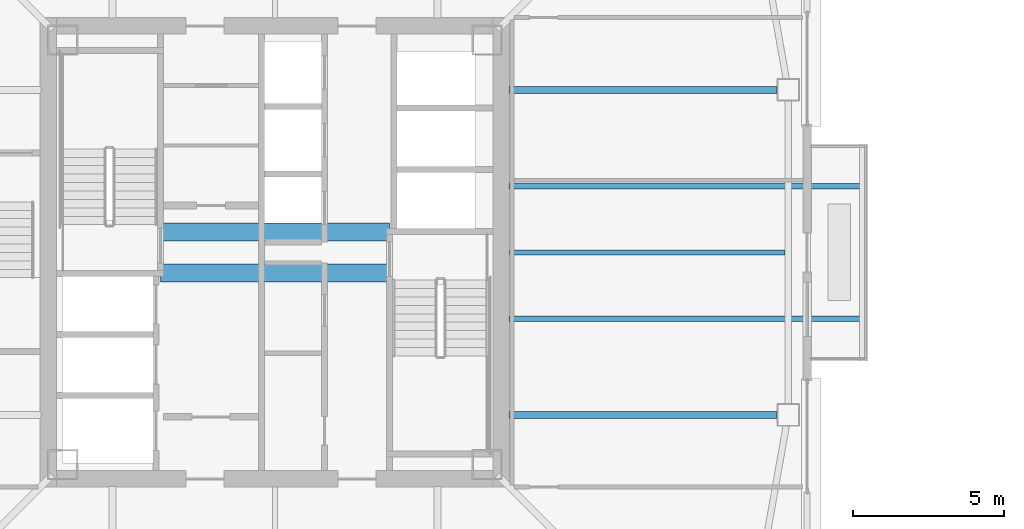
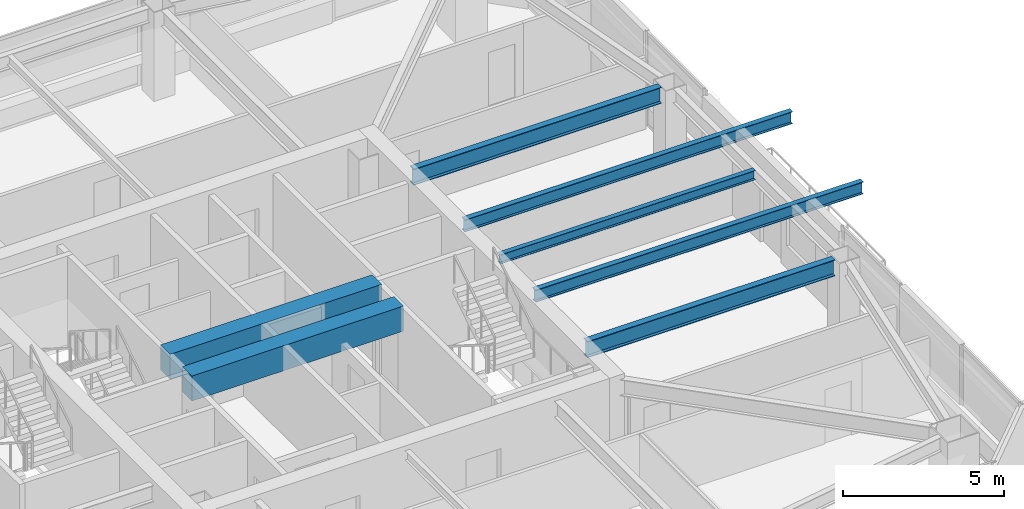
# One storey, part 8 of 41: 7 beams.
"""IFC4 building model written with IfcOpenShell, lengths in metres."""

import ifcopenshell
import ifcopenshell.guid

model = None  # the IFC model being written
_history = None  # IfcOwnerHistory: only IFC2X3 demands one
_inside = {}  # id of a spatial element -> (the spatial element, [elements in it])
_under = {}  # id of a project, library or spatial element -> (it, [spatial elements below it])
_declared = {}  # id of a project -> (the project, [libraries it declares])
_typed = {}  # id of a type object -> (the type object, [elements of that type])
_made_of = {}  # id of a material, layer set ... -> (it, [elements and type objects made of it])


def new_model(schema):
    """Start an empty IFC model of exactly this schema.

    Asked for "IFC4X3", IfcOpenShell would pick the latest addendum, in which some entities
    have other attributes; the version numbers below select the first issue.
    IFC2X3 requires an IfcOwnerHistory on every rooted entity: one is made here for all.
    """
    global model, _history
    if schema == "IFC4X3":
        model = ifcopenshell.file(schema_version=(4, 3, 0, 0))
    else:
        model = ifcopenshell.file(schema=schema)
    _inside.clear()
    _under.clear()
    _declared.clear()
    _typed.clear()
    _made_of.clear()
    _history = None
    if model.schema == "IFC2X3":
        org = make("IfcOrganization", Name="unknown")
        user = make(
            "IfcPersonAndOrganization",
            ThePerson=make("IfcPerson", FamilyName="unknown"),
            TheOrganization=org,
        )
        app = make(
            "IfcApplication",
            ApplicationDeveloper=org,
            Version="unknown",
            ApplicationFullName="unknown",
            ApplicationIdentifier="unknown",
        )
        _history = make(
            "IfcOwnerHistory",
            OwningUser=user,
            OwningApplication=app,
            ChangeAction="ADDED",
            CreationDate=0,
        )
    return model


def make(cls, **values):
    """One entity of the class cls with the attributes given. An attribute that is None is left unset."""
    return model.create_entity(
        cls, **{name: value for name, value in values.items() if value is not None}
    )


def rooted(cls, **values):
    """An entity with a GlobalId (a new one), such as an element, a storey or a relation."""
    return make(cls, GlobalId=ifcopenshell.guid.new(), OwnerHistory=_history, **values)


def si_unit(unit_type, name, prefix=None):
    """IfcSIUnit, for example si_unit("LENGTHUNIT", "METRE", prefix="MILLI")."""
    return make("IfcSIUnit", UnitType=unit_type, Prefix=prefix, Name=name)


def assignment(units):
    """IfcUnitAssignment: the units of a project."""
    return None if units is None else make("IfcUnitAssignment", Units=units)


def point(xyz):
    """IfcCartesianPoint."""
    return None if xyz is None else make("IfcCartesianPoint", Coordinates=xyz)


def direction(xyz):
    """IfcDirection."""
    return None if xyz is None else make("IfcDirection", DirectionRatios=xyz)


def frame(location, z_axis=None, x_axis=None):
    """IfcAxis2Placement3D, a coordinate frame: its origin and axes. An axis left out is left unset."""
    return make(
        "IfcAxis2Placement3D",
        Location=point(location),
        Axis=direction(z_axis),
        RefDirection=direction(x_axis),
    )


def frame_2d(location, x_axis=None):
    """IfcAxis2Placement2D, a coordinate frame in the plane: its origin and x axis."""
    return make(
        "IfcAxis2Placement2D", Location=point(location), RefDirection=direction(x_axis)
    )


def origin():
    """The frame at (0, 0, 0) with its axes left unset."""
    return frame((0.0, 0.0, 0.0))


def origin_2d():
    """The frame at (0, 0) in the plane with its x axis left unset."""
    return frame_2d((0.0, 0.0))


def place(relative_to, where):
    """IfcLocalPlacement: puts the frame where relative to a parent placement (None: the world)."""
    return make(
        "IfcLocalPlacement", PlacementRelTo=relative_to, RelativePlacement=where
    )


def context(
    kind, dimensions, precision=None, world=None, true_north=None, identifier=None
):
    """IfcGeometricRepresentationContext, for example the 3D "Model" context."""
    return make(
        "IfcGeometricRepresentationContext",
        ContextIdentifier=identifier,
        ContextType=kind,
        CoordinateSpaceDimension=dimensions,
        Precision=precision,
        WorldCoordinateSystem=world,
        TrueNorth=true_north,
    )


def subcontext(parent, identifier, kind, view, scale=None):
    """IfcGeometricRepresentationSubContext, for example "Body" below "Model"."""
    return make(
        "IfcGeometricRepresentationSubContext",
        ContextIdentifier=identifier,
        ContextType=kind,
        ParentContext=parent,
        TargetScale=scale,
        TargetView=view,
    )


def project(units=None, contexts=None):
    """IfcProject with its units and contexts."""
    return rooted(
        "IfcProject",
        Name="project",
        RepresentationContexts=contexts,
        UnitsInContext=assignment(units),
    )


def spatial(cls, under=None, at=None, **own):
    """A site, building, storey or space (cls), placed at a placement, below another one or the project."""
    s = rooted(cls, ObjectPlacement=at, **own)
    if under is not None:
        _under.setdefault(under.id(), (under, []))[1].append(s)
    return s


def profile(cls, at=None, kind="AREA", **sizes):
    """A parametric profile (cls). Its sizes go by their IFC names, for example OverallWidth=200.0."""
    return make(cls, ProfileType=kind, Position=at, **sizes)


def rectangle(**sizes):
    """IfcRectangleProfileDef."""
    return profile("IfcRectangleProfileDef", **sizes)


def i_section(**sizes):
    """IfcIShapeProfileDef."""
    return profile("IfcIShapeProfileDef", **sizes)


def extrude(swept, where, along, depth):
    """IfcExtrudedAreaSolid: the profile swept, set in the frame where, extruded along a direction by depth."""
    return make(
        "IfcExtrudedAreaSolid",
        SweptArea=swept,
        Position=where,
        ExtrudedDirection=direction(along),
        Depth=depth,
    )


def shape(context_of_items, identifier, shape_type, items):
    """IfcShapeRepresentation: the items that make up one representation, for example the "Body"."""
    return make(
        "IfcShapeRepresentation",
        ContextOfItems=context_of_items,
        RepresentationIdentifier=identifier,
        RepresentationType=shape_type,
        Items=items,
    )


def material(Name=None, Category=None):
    """IfcMaterial."""
    return make("IfcMaterial", Name=Name, Category=Category)


def material_profile(
    of_material, cross_section, Name=None, Category=None, Priority=None
):
    """IfcMaterialProfile: a cross section and its material."""
    return make(
        "IfcMaterialProfile",
        Name=Name,
        Material=of_material,
        Profile=cross_section,
        Priority=Priority,
        Category=Category,
    )


def profile_set(profiles, Name=None, composite=None):
    """IfcMaterialProfileSet."""
    return make(
        "IfcMaterialProfileSet",
        Name=Name,
        MaterialProfiles=profiles,
        CompositeProfile=composite,
    )


def made_of(thing, what):
    """Note that an element or type object is made of a material, layer set ...; save() writes the relation."""
    if what is not None:
        _made_of.setdefault(what.id(), (what, []))[1].append(thing)
    return thing


def type_object(cls, material=None, **own):
    """A type object (cls), such as IfcWallType, which elements share."""
    return made_of(rooted(cls, **own), material)


def element(
    cls,
    number,
    at=None,
    inside=None,
    cuts=None,
    type_object=None,
    material=None,
    context=None,
    identifier="Body",
    shape_type=None,
    held_by="IfcProductDefinitionShape",
    body=None,
    shapes=None,
    **own,
):
    """One element of the class cls, such as IfcWall. Its Tag is "e" and its number.

    at: its placement. inside: the storey or other place that contains it. cuts: it is an
    opening in that element (IfcRelVoidsElement). A single representation is given by context,
    identifier, shape_type and body (its items); several are given by shapes. held_by: the class
    of the entity that holds the representations. save() writes the other relations.
    """
    e = rooted(cls, Tag="e%d" % number, ObjectPlacement=at, **own)
    if body is not None:
        shapes = [shape(context, identifier, shape_type, body)]
    if shapes is not None:
        e.Representation = make(held_by, Representations=shapes)
    if inside is not None:
        _inside.setdefault(inside.id(), (inside, []))[1].append(e)
    if cuts is not None:
        rooted(
            "IfcRelVoidsElement", RelatingBuildingElement=cuts, RelatedOpeningElement=e
        )
    if type_object is not None:
        _typed.setdefault(type_object.id(), (type_object, []))[1].append(e)
    return made_of(e, material)


def aggregate(whole, parts):
    """IfcRelAggregates: a whole, such as a stair, and the parts it consists of."""
    return rooted("IfcRelAggregates", RelatingObject=whole, RelatedObjects=parts)


def save(model, path):
    """Write the relations noted so far, then the file.

    IfcRelAggregates (storeys below a building ...), IfcRelContainedInSpatialStructure (elements
    in a storey), IfcRelDefinesByType, IfcRelAssociatesMaterial and IfcRelDeclares: one each for
    every whole, place, type object, material and project.
    """
    for whole, parts in _under.values():
        aggregate(whole, parts)
    for where, things in _inside.values():
        rooted(
            "IfcRelContainedInSpatialStructure",
            RelatedElements=things,
            RelatingStructure=where,
        )
    for kind, things in _typed.values():
        rooted("IfcRelDefinesByType", RelatedObjects=things, RelatingType=kind)
    for what, things in _made_of.values():
        rooted("IfcRelAssociatesMaterial", RelatedObjects=things, RelatingMaterial=what)
    for by, libraries in _declared.values():
        rooted("IfcRelDeclares", RelatingContext=by, RelatedDefinitions=libraries)
    model.write(path)


model = new_model("IFC4")

# Units and contexts
model_context = context("Model", 3, precision=1e-05, world=origin(), true_north=direction((0.0, 1.0)))
body_context = subcontext(model_context, "Body", "Model", "MODEL_VIEW")
ifc_project = project(units=[si_unit("LENGTHUNIT", "METRE"), si_unit("AREAUNIT", "SQUARE_METRE"), si_unit("VOLUMEUNIT", "CUBIC_METRE"), si_unit("PLANEANGLEUNIT", "RADIAN"), si_unit("MASSUNIT", "GRAM", prefix="KILO")], contexts=[model_context])

# Site, building, storey
site_placement = place(None, origin())
site = spatial("IfcSite", under=ifc_project, at=site_placement, CompositionType="ELEMENT")
building_placement = place(site_placement, origin())
building = spatial("IfcBuilding", under=site, at=building_placement, Name="Tashvorn Skyway Center", CompositionType="ELEMENT")
storey_placement = place(building_placement, frame((0.0, 0.0, 171.199951171875)))
storey = spatial("IfcBuildingStorey", under=building, at=storey_placement, Name="L46", CompositionType="ELEMENT", Elevation=171.199951171875)

# Beams
ifc_material_1 = material(Name="Steel ASTM A992 Grade 50", Category="steel")
ifc_material_profile_1 = material_profile(ifc_material_1, i_section(OverallWidth=0.22998046875, OverallDepth=0.616943359375, WebThickness=0.01318359375, FlangeThickness=0.022216796875, at=origin_2d()), Name="W24X94")
ifc_profile_set_1 = profile_set([ifc_material_profile_1], Name="Steel ASTM A992 Grade 50")
beam_type_1 = type_object("IfcBeamType", Name="BM-BEAM-W24X94", PredefinedType="BEAM", material=ifc_profile_set_1)
for number, where, z_axis, x_axis, name in (
    (1, (58.679931640625, 26.60009765625, 3.0615234375), (-1.0, 0.0, 0.0), (0.0, -1.0, 0.0), "Tower 1 L46 Primary Floor Girder FC-E1"),
    (2, (58.679931640625, 37.39990234375, 3.0615234375), (-1.0, 0.0, 0.0), (0.0, -1.0, 0.0), "Tower 1 L46 Primary Floor Girder FC-E2"),
):
    element("IfcBeam", number, at=place(storey_placement, frame(where, z_axis=z_axis, x_axis=x_axis)), inside=storey, type_object=beam_type_1, Name=name, PredefinedType="BEAM", context=body_context, shape_type="SweptSolid", body=[
        extrude(i_section(OverallWidth=0.22998046875, OverallDepth=0.616943359375, WebThickness=0.01318359375, FlangeThickness=0.022216796875, at=origin_2d()), origin(), (0.0, 0.0, 1.0), 8.89990234375),
    ])
ifc_material_profile_2 = material_profile(ifc_material_1, i_section(OverallWidth=0.1708984375, OverallDepth=0.35498046875, WebThickness=0.007080078125, FlangeThickness=0.01171875, at=origin_2d()), Name="W14X34")
ifc_profile_set_2 = profile_set([ifc_material_profile_2], Name="Steel ASTM A992 Grade 50")
beam_type_2 = type_object("IfcBeamType", Name="BM-JOIST-W14X34", PredefinedType="JOIST", material=ifc_profile_set_2)
beam_placement = place(storey_placement, frame((49.7900390625, 32.0, 3.192626953125), z_axis=(1.0, 0.0, 0.0), x_axis=(0.0, 1.0, 0.0)))
element("IfcBeam", 3, at=beam_placement, inside=storey, type_object=beam_type_2, Name="Tower 1 L46 Secondary Composite Joist JE", PredefinedType="JOIST", context=body_context, shape_type="SweptSolid", body=[
    extrude(i_section(OverallWidth=0.1708984375, OverallDepth=0.35498046875, WebThickness=0.007080078125, FlangeThickness=0.01171875, at=origin_2d()), origin(), (0.0, 0.0, 1.0), 9.162353515625),
])
ifc_material_profile_3 = material_profile(ifc_material_1, i_section(OverallWidth=0.19091796875, OverallDepth=0.4599609375, WebThickness=0.010009765625, FlangeThickness=0.01611328125, at=origin_2d()), Name="W18X55")
ifc_profile_set_3 = profile_set([ifc_material_profile_3], Name="Steel ASTM A992 Grade 50")
beam_type_3 = type_object("IfcBeamType", Name="BM-JOIST-W18X55", PredefinedType="JOIST", material=ifc_profile_set_3)
for number, where, z_axis, x_axis, name in (
    (4, (49.780029296875, 29.800048828125, 3.14013671875), (1.0, 0.0, 0.0), (0.0, 1.0, 0.0), "Tower 1 L47 Terrace Cantilever Outlooker 1"),
    (5, (49.780029296875, 34.199951171875, 3.14013671875), (1.0, 0.0, 0.0), (0.0, 1.0, 0.0), "Tower 1 L47 Terrace Cantilever Outlooker 2"),
):
    element("IfcBeam", number, at=place(storey_placement, frame(where, z_axis=z_axis, x_axis=x_axis)), inside=storey, type_object=beam_type_3, Name=name, PredefinedType="JOIST", context=body_context, shape_type="SweptSolid", body=[
        extrude(i_section(OverallWidth=0.19091796875, OverallDepth=0.4599609375, WebThickness=0.010009765625, FlangeThickness=0.01611328125, at=origin_2d()), origin(), (0.0, 0.0, 1.0), 11.77001953125),
    ])
ifc_material_2 = material(Name="Concrete C60/75", Category="concrete")
ifc_material_profile_4 = material_profile(ifc_material_2, rectangle(XDim=0.60009765625, YDim=0.949951171875, at=origin_2d()), Name="RCB600x950")
ifc_profile_set_4 = profile_set([ifc_material_profile_4], Name="Concrete C60/75")
beam_type_4 = type_object("IfcBeamType", Name="BM-LINTEL-RCB600x950", PredefinedType="LINTEL", material=ifc_profile_set_4)
for number, where, z_axis, x_axis, name in (
    (6, (38.199951171875, 32.679931640625, 2.89501953125), (1.0, 0.0, 0.0), (0.0, 1.0, 0.0), "Tower 1 L46 Core Coupling Beam CN"),
    (7, (38.199951171875, 31.320068359375, 2.89501953125), (1.0, 0.0, 0.0), (0.0, 1.0, 0.0), "Tower 1 L46 Core Coupling Beam CS"),
):
    element("IfcBeam", number, at=place(storey_placement, frame(where, z_axis=z_axis, x_axis=x_axis)), inside=storey, type_object=beam_type_4, Name=name, PredefinedType="LINTEL", context=body_context, shape_type="SweptSolid", body=[
        extrude(rectangle(XDim=0.60009765625, YDim=0.949951171875, at=origin_2d()), origin(), (0.0, 0.0, 1.0), 7.60009765625),
    ])

save(model, "model.ifc")
